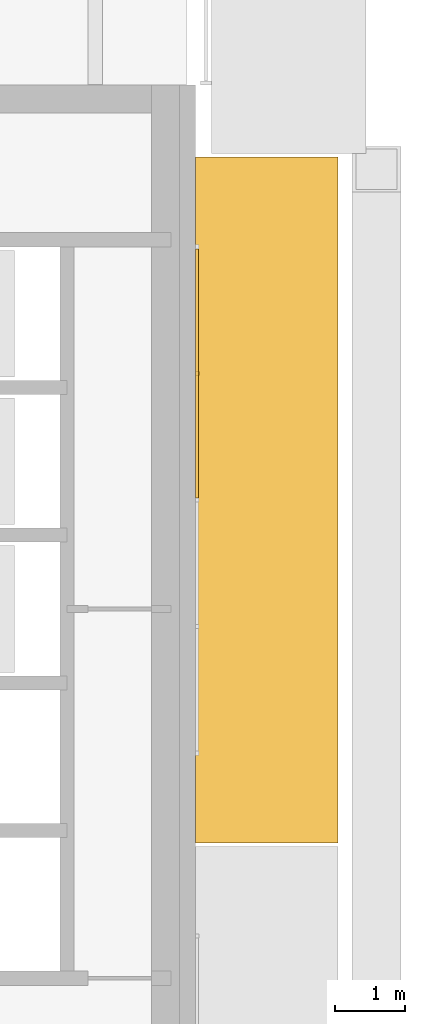
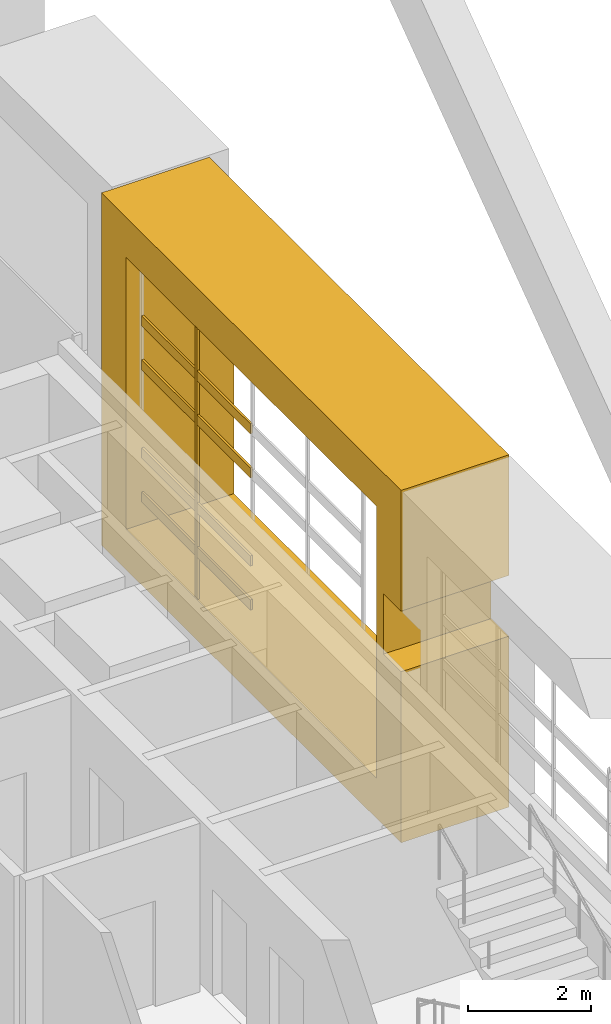
# One storey, part 24 of 29: 6 coverings.
"""IFC4 building model written with IfcOpenShell, lengths in metres."""

from ifc_helpers import new_model, si_unit, direction, frame, origin, origin_2d, place, context, subcontext, project, spatial, polyline, rectangle, outline, extrude, material, type_object, element, save


model = new_model("IFC4")

# Units and contexts
model_context = context("Model", 3, precision=1e-05, world=origin(), true_north=direction((0.0, 1.0)))
body_context = subcontext(model_context, "Body", "Model", "MODEL_VIEW")
ifc_project = project(units=[si_unit("LENGTHUNIT", "METRE"), si_unit("AREAUNIT", "SQUARE_METRE"), si_unit("VOLUMEUNIT", "CUBIC_METRE"), si_unit("PLANEANGLEUNIT", "RADIAN"), si_unit("MASSUNIT", "GRAM", prefix="KILO")], contexts=[model_context])

# Site, building, storey
site_placement = place(None, origin())
site = spatial("IfcSite", under=ifc_project, at=site_placement, CompositionType="ELEMENT")
building_placement = place(site_placement, origin())
building = spatial("IfcBuilding", under=site, at=building_placement, Name="Cobrizo Arcos Hotel Tower", CompositionType="ELEMENT")
storey_placement = place(building_placement, frame((0.0, 0.0, 241.0)))
storey = spatial("IfcBuildingStorey", under=building, at=storey_placement, Name="L63", CompositionType="ELEMENT", Elevation=241.0)

# Coverings
ifc_material_1 = material(Name="Aluminium 6063-T6 anodised bronze", Category="aluminium")
covering_type_1 = type_object("IfcCoveringType", Name="FIN-F 2025", PredefinedType="CLADDING", material=ifc_material_1)
covering_1_placement = place(storey_placement, frame((20.625, 0.02490234375, 0.0), z_axis=(1.0, 0.0, 0.0), x_axis=(0.0, 1.0, 0.0)))
element("IfcCovering", 1, at=covering_1_placement, inside=storey, type_object=covering_type_1, Name="Fin frame 381", PredefinedType="CLADDING", context=body_context, shape_type="SweptSolid", body=[
    extrude(outline(polyline([(0.0, 7.0), (0.0, 4.60205078125), (0.576904296875, 4.60205078125), (0.576904296875, 3.39794921875), (0.0, 3.39794921875), (0.0, 0.0), (9.75, 0.0), (9.75, 7.0), (0.0, 7.0)]), holes=[polyline([(8.949951171875, 0.800048828125), (0.800048828125, 0.800048828125), (0.800048828125, 6.199951171875), (8.949951171875, 6.199951171875), (8.949951171875, 0.800048828125)])]), origin(), (0.0, 0.0, 1.0), 2.02490234375),
])
ifc_material_2 = material(Name="Aluminium 6063-T6 anodised pale", Category="aluminium")
covering_type_2 = type_object("IfcCoveringType", Name="RS-2 rainscreen rib 60x50", PredefinedType="CLADDING", material=ifc_material_2)
covering_2_placement = place(storey_placement, frame((20.64990234375, 6.699951171875, 0.800048828125), z_axis=(0.0, 0.0, 1.0), x_axis=(0.0, 1.0, 0.0)))
element("IfcCovering", 2, at=covering_2_placement, inside=storey, type_object=covering_type_2, Name="Rainscreen rib 249", PredefinedType="CLADDING", context=body_context, shape_type="SweptSolid", body=[
    extrude(rectangle(XDim=0.06005859375, YDim=0.050048828125, at=origin_2d()), origin(), (0.0, 0.0, 1.0), 5.39990234375),
])
covering_type_3 = type_object("IfcCoveringType", Name="RS-3 rainscreen louvre slat 200x40", PredefinedType="CLADDING", material=ifc_material_2)
for number, where, z_axis, x_axis, name in (
    (3, (20.64501953125, 6.699951171875, 1.64990234375), (0.0, 0.0, 1.0), (0.0, 1.0, 0.0), "Rainscreen slat 63"),
    (4, (20.64501953125, 6.699951171875, 2.52490234375), (0.0, 0.0, 1.0), (0.0, 1.0, 0.0), "Rainscreen slat 64"),
    (5, (20.64501953125, 6.699951171875, 4.27490234375), (0.0, 0.0, 1.0), (0.0, 1.0, 0.0), "Rainscreen slat 67"),
    (6, (20.64501953125, 6.699951171875, 5.14990234375), (0.0, 0.0, 1.0), (0.0, 1.0, 0.0), "Rainscreen slat 68"),
):
    element("IfcCovering", number, at=place(storey_placement, frame(where, z_axis=z_axis, x_axis=x_axis)), inside=storey, type_object=covering_type_3, Name=name, PredefinedType="CLADDING", context=body_context, shape_type="SweptSolid", body=[
        extrude(rectangle(XDim=3.5400390625, YDim=0.0400390625, at=origin_2d()), origin(), (0.0, 0.0, 1.0), 0.199951171875),
    ])

save(model, "model.ifc")
